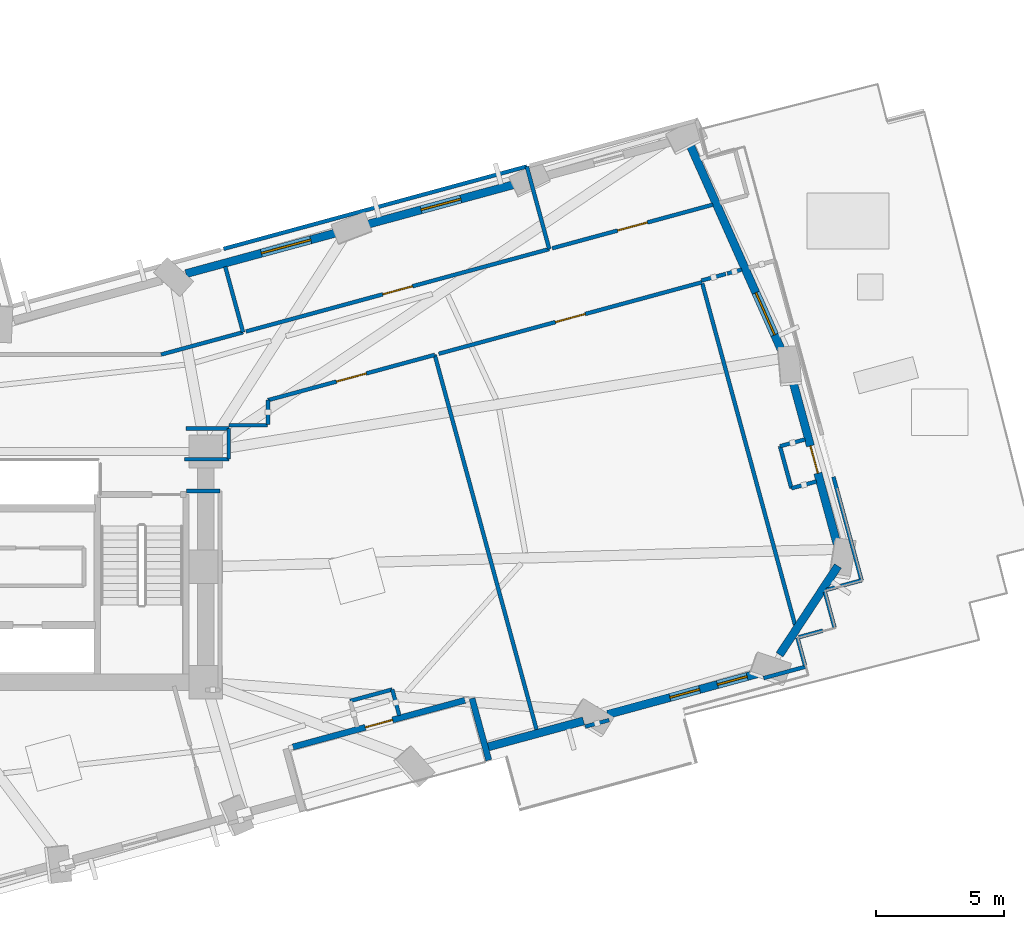
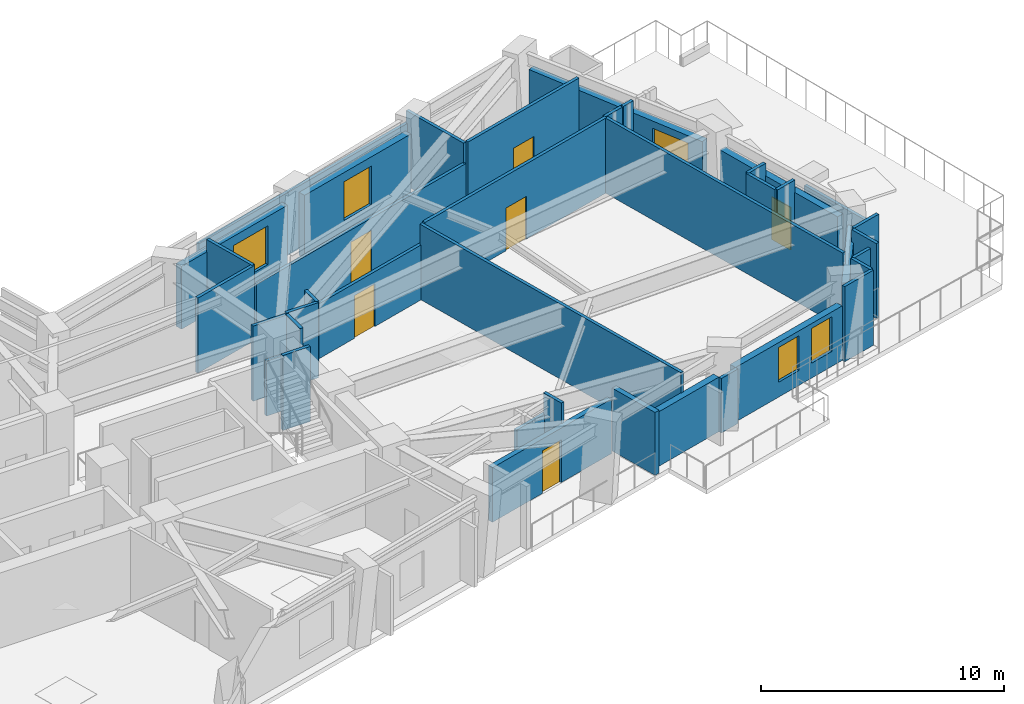
# One storey, part 9 of 15: 39 walls, 6 doors, 5 windows, 11 openings.
"""IFC4 building model written with IfcOpenShell, lengths in metres."""

import ifcopenshell
import ifcopenshell.guid

model = None  # the IFC model being written
_history = None  # IfcOwnerHistory: only IFC2X3 demands one
_inside = {}  # id of a spatial element -> (the spatial element, [elements in it])
_under = {}  # id of a project, library or spatial element -> (it, [spatial elements below it])
_declared = {}  # id of a project -> (the project, [libraries it declares])
_typed = {}  # id of a type object -> (the type object, [elements of that type])
_made_of = {}  # id of a material, layer set ... -> (it, [elements and type objects made of it])


def new_model(schema):
    """Start an empty IFC model of exactly this schema.

    Asked for "IFC4X3", IfcOpenShell would pick the latest addendum, in which some entities
    have other attributes; the version numbers below select the first issue.
    IFC2X3 requires an IfcOwnerHistory on every rooted entity: one is made here for all.
    """
    global model, _history
    if schema == "IFC4X3":
        model = ifcopenshell.file(schema_version=(4, 3, 0, 0))
    else:
        model = ifcopenshell.file(schema=schema)
    _inside.clear()
    _under.clear()
    _declared.clear()
    _typed.clear()
    _made_of.clear()
    _history = None
    if model.schema == "IFC2X3":
        org = make("IfcOrganization", Name="unknown")
        user = make(
            "IfcPersonAndOrganization",
            ThePerson=make("IfcPerson", FamilyName="unknown"),
            TheOrganization=org,
        )
        app = make(
            "IfcApplication",
            ApplicationDeveloper=org,
            Version="unknown",
            ApplicationFullName="unknown",
            ApplicationIdentifier="unknown",
        )
        _history = make(
            "IfcOwnerHistory",
            OwningUser=user,
            OwningApplication=app,
            ChangeAction="ADDED",
            CreationDate=0,
        )
    return model


def make(cls, **values):
    """One entity of the class cls with the attributes given. An attribute that is None is left unset."""
    return model.create_entity(
        cls, **{name: value for name, value in values.items() if value is not None}
    )


def rooted(cls, **values):
    """An entity with a GlobalId (a new one), such as an element, a storey or a relation."""
    return make(cls, GlobalId=ifcopenshell.guid.new(), OwnerHistory=_history, **values)


def si_unit(unit_type, name, prefix=None):
    """IfcSIUnit, for example si_unit("LENGTHUNIT", "METRE", prefix="MILLI")."""
    return make("IfcSIUnit", UnitType=unit_type, Prefix=prefix, Name=name)


def assignment(units):
    """IfcUnitAssignment: the units of a project."""
    return None if units is None else make("IfcUnitAssignment", Units=units)


def point(xyz):
    """IfcCartesianPoint."""
    return None if xyz is None else make("IfcCartesianPoint", Coordinates=xyz)


def direction(xyz):
    """IfcDirection."""
    return None if xyz is None else make("IfcDirection", DirectionRatios=xyz)


def frame(location, z_axis=None, x_axis=None):
    """IfcAxis2Placement3D, a coordinate frame: its origin and axes. An axis left out is left unset."""
    return make(
        "IfcAxis2Placement3D",
        Location=point(location),
        Axis=direction(z_axis),
        RefDirection=direction(x_axis),
    )


def frame_2d(location, x_axis=None):
    """IfcAxis2Placement2D, a coordinate frame in the plane: its origin and x axis."""
    return make(
        "IfcAxis2Placement2D", Location=point(location), RefDirection=direction(x_axis)
    )


def origin():
    """The frame at (0, 0, 0) with its axes left unset."""
    return frame((0.0, 0.0, 0.0))


def place(relative_to, where):
    """IfcLocalPlacement: puts the frame where relative to a parent placement (None: the world)."""
    return make(
        "IfcLocalPlacement", PlacementRelTo=relative_to, RelativePlacement=where
    )


def context(
    kind, dimensions, precision=None, world=None, true_north=None, identifier=None
):
    """IfcGeometricRepresentationContext, for example the 3D "Model" context."""
    return make(
        "IfcGeometricRepresentationContext",
        ContextIdentifier=identifier,
        ContextType=kind,
        CoordinateSpaceDimension=dimensions,
        Precision=precision,
        WorldCoordinateSystem=world,
        TrueNorth=true_north,
    )


def subcontext(parent, identifier, kind, view, scale=None):
    """IfcGeometricRepresentationSubContext, for example "Body" below "Model"."""
    return make(
        "IfcGeometricRepresentationSubContext",
        ContextIdentifier=identifier,
        ContextType=kind,
        ParentContext=parent,
        TargetScale=scale,
        TargetView=view,
    )


def project(units=None, contexts=None):
    """IfcProject with its units and contexts."""
    return rooted(
        "IfcProject",
        Name="project",
        RepresentationContexts=contexts,
        UnitsInContext=assignment(units),
    )


def spatial(cls, under=None, at=None, **own):
    """A site, building, storey or space (cls), placed at a placement, below another one or the project."""
    s = rooted(cls, ObjectPlacement=at, **own)
    if under is not None:
        _under.setdefault(under.id(), (under, []))[1].append(s)
    return s


def profile(cls, at=None, kind="AREA", **sizes):
    """A parametric profile (cls). Its sizes go by their IFC names, for example OverallWidth=200.0."""
    return make(cls, ProfileType=kind, Position=at, **sizes)


def rectangle(**sizes):
    """IfcRectangleProfileDef."""
    return profile("IfcRectangleProfileDef", **sizes)


def extrude(swept, where, along, depth):
    """IfcExtrudedAreaSolid: the profile swept, set in the frame where, extruded along a direction by depth."""
    return make(
        "IfcExtrudedAreaSolid",
        SweptArea=swept,
        Position=where,
        ExtrudedDirection=direction(along),
        Depth=depth,
    )


def shape(context_of_items, identifier, shape_type, items):
    """IfcShapeRepresentation: the items that make up one representation, for example the "Body"."""
    return make(
        "IfcShapeRepresentation",
        ContextOfItems=context_of_items,
        RepresentationIdentifier=identifier,
        RepresentationType=shape_type,
        Items=items,
    )


def material(Name=None, Category=None):
    """IfcMaterial."""
    return make("IfcMaterial", Name=Name, Category=Category)


def layer(
    of_material, thickness, ventilated=None, Name=None, Category=None, Priority=None
):
    """IfcMaterialLayer: one layer of a wall or slab, of a material (None: an air gap)."""
    return make(
        "IfcMaterialLayer",
        Material=of_material,
        LayerThickness=thickness,
        IsVentilated=ventilated,
        Name=Name,
        Category=Category,
        Priority=Priority,
    )


def layer_set(layers, Name=None):
    """IfcMaterialLayerSet."""
    return make("IfcMaterialLayerSet", MaterialLayers=layers, LayerSetName=Name)


def made_of(thing, what):
    """Note that an element or type object is made of a material, layer set ...; save() writes the relation."""
    if what is not None:
        _made_of.setdefault(what.id(), (what, []))[1].append(thing)
    return thing


def type_object(cls, material=None, **own):
    """A type object (cls), such as IfcWallType, which elements share."""
    return made_of(rooted(cls, **own), material)


def element(
    cls,
    number,
    at=None,
    inside=None,
    cuts=None,
    type_object=None,
    material=None,
    context=None,
    identifier="Body",
    shape_type=None,
    held_by="IfcProductDefinitionShape",
    body=None,
    shapes=None,
    **own,
):
    """One element of the class cls, such as IfcWall. Its Tag is "e" and its number.

    at: its placement. inside: the storey or other place that contains it. cuts: it is an
    opening in that element (IfcRelVoidsElement). A single representation is given by context,
    identifier, shape_type and body (its items); several are given by shapes. held_by: the class
    of the entity that holds the representations. save() writes the other relations.
    """
    e = rooted(cls, Tag="e%d" % number, ObjectPlacement=at, **own)
    if body is not None:
        shapes = [shape(context, identifier, shape_type, body)]
    if shapes is not None:
        e.Representation = make(held_by, Representations=shapes)
    if inside is not None:
        _inside.setdefault(inside.id(), (inside, []))[1].append(e)
    if cuts is not None:
        rooted(
            "IfcRelVoidsElement", RelatingBuildingElement=cuts, RelatedOpeningElement=e
        )
    if type_object is not None:
        _typed.setdefault(type_object.id(), (type_object, []))[1].append(e)
    return made_of(e, material)


def fill(opening, filler):
    """IfcRelFillsElement: the door or window that sits in an opening."""
    return rooted(
        "IfcRelFillsElement",
        RelatingOpeningElement=opening,
        RelatedBuildingElement=filler,
    )


def aggregate(whole, parts):
    """IfcRelAggregates: a whole, such as a stair, and the parts it consists of."""
    return rooted("IfcRelAggregates", RelatingObject=whole, RelatedObjects=parts)


def save(model, path):
    """Write the relations noted so far, then the file.

    IfcRelAggregates (storeys below a building ...), IfcRelContainedInSpatialStructure (elements
    in a storey), IfcRelDefinesByType, IfcRelAssociatesMaterial and IfcRelDeclares: one each for
    every whole, place, type object, material and project.
    """
    for whole, parts in _under.values():
        aggregate(whole, parts)
    for where, things in _inside.values():
        rooted(
            "IfcRelContainedInSpatialStructure",
            RelatedElements=things,
            RelatingStructure=where,
        )
    for kind, things in _typed.values():
        rooted("IfcRelDefinesByType", RelatedObjects=things, RelatingType=kind)
    for what, things in _made_of.values():
        rooted("IfcRelAssociatesMaterial", RelatedObjects=things, RelatingMaterial=what)
    for by, libraries in _declared.values():
        rooted("IfcRelDeclares", RelatingContext=by, RelatedDefinitions=libraries)
    model.write(path)


model = new_model("IFC4")

# Units and contexts
model_context = context("Model", 3, precision=1e-05, world=origin(), true_north=direction((0.0, 1.0)))
body_context = subcontext(model_context, "Body", "Model", "MODEL_VIEW")
ifc_project = project(units=[si_unit("LENGTHUNIT", "METRE"), si_unit("AREAUNIT", "SQUARE_METRE"), si_unit("VOLUMEUNIT", "CUBIC_METRE"), si_unit("PLANEANGLEUNIT", "RADIAN"), si_unit("MASSUNIT", "GRAM", prefix="KILO")], contexts=[model_context])

# Site, building, storey
site_placement = place(None, origin())
site = spatial("IfcSite", under=ifc_project, at=site_placement, CompositionType="ELEMENT")
building_placement = place(site_placement, origin())
building = spatial("IfcBuilding", under=site, at=building_placement, Name="Gaonmaruhae Medical Tower", CompositionType="ELEMENT")
storey_placement = place(building_placement, frame((0.0, 0.0, 88.39990234375)))
storey = spatial("IfcBuildingStorey", under=building, at=storey_placement, Name="L20", CompositionType="ELEMENT", Elevation=88.39990234375)

# Wall, opening, door
ifc_material_1 = material(Name="Precast concrete C45/55", Category="concrete")
ifc_layer_1 = layer(ifc_material_1, 0.239990234375)
ifc_layer_set_1 = layer_set([ifc_layer_1], Name="Precast concrete C45/55")
wall_type_1 = type_object("IfcWallType", Name="EW-240 Ribbon & Shelter Insulated Precast Wall", PredefinedType="SOLIDWALL", material=ifc_layer_set_1)
wall_1_placement = place(storey_placement, frame((45.71435546875, 7.096923828125, 0.0), z_axis=(0.0, 0.0, 1.0), x_axis=(-0.96502158219, -0.262170452011, 0.0)))
wall_1 = element("IfcWall", 1, at=wall_1_placement, inside=storey, type_object=wall_type_1, Name="L20 Recessed Terrace Enclosure Wall TERB", PredefinedType="SOLIDWALL", context=body_context, shape_type="SweptSolid", body=[
    extrude(rectangle(XDim=6.9599609375, YDim=0.239990234375, at=frame_2d((3.47998046875, 0.0))), origin(), (0.0, 0.0, 1.0), 2.7451171875),
])
opening_1_placement = place(wall_1_placement, frame((2.929931640625, 0.0, 0.0)))
opening_1 = element("IfcOpeningElement", 2, at=opening_1_placement, cuts=wall_1, Name="Opening TD-01", PredefinedType="OPENING", context=body_context, shape_type="SweptSolid", body=[
    extrude(rectangle(XDim=1.10009765625, YDim=2.14990234375, at=frame_2d((0.550048828125, 1.074951171875))), frame((0.0, 0.1298828125, 0.0), z_axis=(0.0, -1.0, 0.0), x_axis=(1.0, 0.0, 0.0)), (0.0, 0.0, 1.0), 0.260009765625),
])
ifc_material_2 = material(Name="Anodised aluminium and toughened safety glass", Category="aluminium")
door_type_1 = type_object("IfcDoorType", Name="TD-01 Terrace & Sky Garden Glazed Door 1100x2150", OperationType="NOTDEFINED", PredefinedType="DOOR", material=ifc_material_2)
door_1_placement = place(opening_1_placement, origin())
door_1 = element("IfcDoor", 3, at=door_1_placement, inside=storey, type_object=door_type_1, Name="L20 Outdoor Terrace Access Door SLB-L20-TER", OperationType="SINGLE_SWING_LEFT", OverallHeight=2.14990234375, OverallWidth=1.10009765625, PredefinedType="DOOR", context=body_context, shape_type="SweptSolid", body=[
    extrude(rectangle(XDim=1.10009765625, YDim=2.14990234375, at=frame_2d((0.550048828125, 1.074951171875))), frame((0.0, 0.02490234375, 0.0), z_axis=(0.0, -1.0, 0.0), x_axis=(1.0, 0.0, 0.0)), (0.0, 0.0, 1.0), 0.050048828125),
])
fill(opening_1, door_1)

# Walls
wall_2_placement = place(storey_placement, frame((46.639892578125, 4.7578125, 0.0), z_axis=(0.0, 0.0, 1.0), x_axis=(-0.26210915003, 0.965038234201, 0.0)))
element("IfcWall", 4, at=wall_2_placement, inside=storey, type_object=wall_type_1, Name="L20 Recessed Terrace Enclosure Wall TERR", PredefinedType="SOLIDWALL", context=body_context, shape_type="SweptSolid", body=[
    extrude(rectangle(XDim=2.5, YDim=0.239990234375, at=frame_2d((1.25, 0.0))), origin(), (0.0, 0.0, 1.0), 3.1650390625),
])
ifc_layer_2 = layer(ifc_material_1, 0.320068359375)
ifc_layer_set_2 = layer_set([ifc_layer_2], Name="Precast concrete C45/55")
wall_type_2 = type_object("IfcWallType", Name="EW-320 Lower Precast Masonry-Frame Facade Wall", PredefinedType="SOLIDWALL", material=ifc_layer_set_2)
wall_3_placement = place(storey_placement, frame((50.335693359375, 6.290283203125, 0.0), z_axis=(0.0, 0.0, 1.0), x_axis=(-0.965017376206, -0.262185933302, 0.0)))
element("IfcWall", 5, at=wall_3_placement, inside=storey, type_object=wall_type_2, Name="L20 Precast Masonry-Frame Wall S05-S06", PredefinedType="SOLIDWALL", context=body_context, shape_type="SweptSolid", body=[
    extrude(rectangle(XDim=3.9482421875, YDim=0.320068359375, at=frame_2d((1.97412109375, 0.0))), origin(), (0.0, 0.0, 1.0), 2.7451171875),
])

# Wall, openings, windows
wall_4_placement = place(storey_placement, frame((57.298583984375, 8.18212890625, 0.0), z_axis=(0.0, 0.0, 1.0), x_axis=(-0.965014291952, -0.262197285128, 0.0)))
wall_4 = element("IfcWall", 6, at=wall_4_placement, inside=storey, type_object=wall_type_2, Name="L20 Precast Masonry-Frame Wall S06-S07", PredefinedType="SOLIDWALL", context=body_context, shape_type="SweptSolid", body=[
    extrude(rectangle(XDim=6.242431640625, YDim=0.320068359375, at=frame_2d((3.12109375, 0.0))), origin(), (0.0, 0.0, 1.0), 2.7451171875),
])
opening_2_placement = place(wall_4_placement, frame((2.525146484375, 0.0, 0.75)))
opening_2 = element("IfcOpeningElement", 7, at=opening_2_placement, cuts=wall_4, Name="Opening WN-05", PredefinedType="OPENING", context=body_context, shape_type="SweptSolid", body=[
    extrude(rectangle(XDim=1.199951171875, YDim=1.75, at=frame_2d((0.60009765625, 0.875))), frame((0.0, 0.169921875, 0.0), z_axis=(0.0, -1.0, 0.0), x_axis=(1.0, 0.0, 0.0)), (0.0, 0.0, 1.0), 0.340087890625),
])
opening_3_placement = place(wall_4_placement, frame((0.60400390625, 0.0, 0.75)))
opening_3 = element("IfcOpeningElement", 8, at=opening_3_placement, cuts=wall_4, Name="Opening WN-05", PredefinedType="OPENING", context=body_context, shape_type="SweptSolid", body=[
    extrude(rectangle(XDim=1.199951171875, YDim=1.75, at=frame_2d((0.60009765625, 0.875))), frame((0.0, 0.169921875, 0.0), z_axis=(0.0, -1.0, 0.0), x_axis=(1.0, 0.0, 0.0)), (0.0, 0.0, 1.0), 0.340087890625),
])
ifc_material_3 = material(Name="Anodised aluminium and Low-E double glazing", Category="aluminium")
window_type_1 = type_object("IfcWindowType", Name="WN-05 Support & Staff Punched Window 1200x1750", PartitioningType="SINGLE_PANEL", PredefinedType="WINDOW", material=ifc_material_3)
window_1_placement = place(opening_2_placement, origin())
window_1 = element("IfcWindow", 9, at=window_1_placement, inside=storey, type_object=window_type_1, Name="L20 Modular Facade Window S06", OverallHeight=1.75, OverallWidth=1.199951171875, PartitioningType="SINGLE_PANEL", PredefinedType="WINDOW", context=body_context, shape_type="SweptSolid", body=[
    extrude(rectangle(XDim=1.199951171875, YDim=1.75, at=frame_2d((0.60009765625, 0.875))), frame((0.0, 0.030029296875, 0.0), z_axis=(0.0, -1.0, 0.0), x_axis=(1.0, 0.0, 0.0)), (0.0, 0.0, 1.0), 0.06005859375),
])
fill(opening_2, window_1)
window_2_placement = place(opening_3_placement, origin())
window_2 = element("IfcWindow", 10, at=window_2_placement, inside=storey, type_object=window_type_1, Name="L20 Modular Facade Window S06B", OverallHeight=1.75, OverallWidth=1.199951171875, PartitioningType="SINGLE_PANEL", PredefinedType="WINDOW", context=body_context, shape_type="SweptSolid", body=[
    extrude(rectangle(XDim=1.199951171875, YDim=1.75, at=frame_2d((0.60009765625, 0.875))), frame((0.0, 0.030029296875, 0.0), z_axis=(0.0, -1.0, 0.0), x_axis=(1.0, 0.0, 0.0)), (0.0, 0.0, 1.0), 0.06005859375),
])
fill(opening_3, window_2)

# Wall
wall_5_placement = place(storey_placement, frame((60.260498046875, 12.336181640625, 0.0), z_axis=(0.0, 0.0, 1.0), x_axis=(-0.549770104054, -0.835316007681, 0.0)))
element("IfcWall", 11, at=wall_5_placement, inside=storey, type_object=wall_type_2, Name="L20 Precast Masonry-Frame Wall S07-E01", PredefinedType="SOLIDWALL", context=body_context, shape_type="SweptSolid", body=[
    extrude(rectangle(XDim=4.14501953125, YDim=0.320068359375, at=frame_2d((2.072509765625, 0.0))), origin(), (0.0, 0.0, 1.0), 3.1650390625),
])

# Wall, opening, door
wall_6_placement = place(storey_placement, frame((58.433349609375, 19.7861328125, 0.0), z_axis=(0.0, 0.0, 1.0), x_axis=(0.26220517946, -0.965012147003, 0.0)))
wall_6 = element("IfcWall", 12, at=wall_6_placement, inside=storey, type_object=wall_type_2, Name="L20 Precast Masonry-Frame Wall E01-E02", PredefinedType="SOLIDWALL", context=body_context, shape_type="SweptSolid", body=[
    extrude(rectangle(XDim=6.83984375, YDim=0.320068359375, at=frame_2d((3.419921875, 0.0))), origin(), (0.0, 0.0, 1.0), 3.1650390625),
])
opening_4_placement = place(wall_6_placement, frame((2.8701171875, 0.0, 0.0)))
opening_4 = element("IfcOpeningElement", 13, at=opening_4_placement, cuts=wall_6, Name="Opening TD-01", PredefinedType="OPENING", context=body_context, shape_type="SweptSolid", body=[
    extrude(rectangle(XDim=1.10009765625, YDim=2.14990234375, at=frame_2d((0.550048828125, 1.074951171875))), frame((0.0, 0.169921875, 0.0), z_axis=(0.0, -1.0, 0.0), x_axis=(1.0, 0.0, 0.0)), (0.0, 0.0, 1.0), 0.340087890625),
])
door_2_placement = place(opening_4_placement, origin())
door_2 = element("IfcDoor", 14, at=door_2_placement, inside=storey, type_object=door_type_1, Name="L20 Outdoor Terrace Access Door SLB-L20-SKYG1", OperationType="SINGLE_SWING_RIGHT", OverallHeight=2.14990234375, OverallWidth=1.10009765625, PredefinedType="DOOR", context=body_context, shape_type="SweptSolid", body=[
    extrude(rectangle(XDim=1.10009765625, YDim=2.14990234375, at=frame_2d((0.550048828125, 1.074951171875))), frame((0.0, 0.02490234375, 0.0), z_axis=(0.0, -1.0, 0.0), x_axis=(1.0, 0.0, 0.0)), (0.0, 0.0, 1.0), 0.050048828125),
])
fill(opening_4, door_2)

# Wall, opening, window
wall_7_placement = place(storey_placement, frame((54.495361328125, 28.747314453125, 0.0), z_axis=(0.0, 0.0, 1.0), x_axis=(0.406584404418, -0.913613223462, 0.0)))
wall_7 = element("IfcWall", 15, at=wall_7_placement, inside=storey, type_object=wall_type_2, Name="L20 Precast Masonry-Frame Wall E02-E03", PredefinedType="SOLIDWALL", context=body_context, shape_type="SweptSolid", body=[
    extrude(rectangle(XDim=8.837646484375, YDim=0.320068359375, at=frame_2d((4.4189453125, 0.0))), origin(), (0.0, 0.0, 1.0), 3.1650390625),
])
opening_5_placement = place(wall_7_placement, frame((6.29931640625, 0.0, 0.75)))
opening_5 = element("IfcOpeningElement", 16, at=opening_5_placement, cuts=wall_7, Name="Opening WN-04", PredefinedType="OPENING", context=body_context, shape_type="SweptSolid", body=[
    extrude(rectangle(XDim=1.800048828125, YDim=2.050048828125, at=frame_2d((0.89990234375, 1.02490234375))), frame((0.0, 0.169921875, 0.0), z_axis=(0.0, -1.0, 0.0), x_axis=(1.0, 0.0, 0.0)), (0.0, 0.0, 1.0), 0.340087890625),
])
window_type_2 = type_object("IfcWindowType", Name="WN-04 Clinic & Consult Punched Window 1800x2050", PartitioningType="SINGLE_PANEL", PredefinedType="WINDOW", material=ifc_material_3)
window_3_placement = place(opening_5_placement, origin())
window_3 = element("IfcWindow", 17, at=window_3_placement, inside=storey, type_object=window_type_2, Name="L20 Modular Facade Window E02", OverallHeight=2.050048828125, OverallWidth=1.800048828125, PartitioningType="SINGLE_PANEL", PredefinedType="WINDOW", context=body_context, shape_type="SweptSolid", body=[
    extrude(rectangle(XDim=1.800048828125, YDim=2.050048828125, at=frame_2d((0.89990234375, 1.02490234375))), frame((0.0, 0.030029296875, 0.0), z_axis=(0.0, -1.0, 0.0), x_axis=(1.0, 0.0, 0.0)), (0.0, 0.0, 1.0), 0.06005859375),
])
fill(opening_5, window_3)

wall_8_placement = place(storey_placement, frame((41.7734375, 25.62158203125, 0.0), z_axis=(0.0, 0.0, 1.0), x_axis=(0.965013128286, 0.262201567951, 0.0)))
wall_8 = element("IfcWall", 18, at=wall_8_placement, inside=storey, type_object=wall_type_2, Name="L20 Precast Masonry-Frame Wall EN01-EN02", PredefinedType="SOLIDWALL", context=body_context, shape_type="SweptSolid", body=[
    extrude(rectangle(XDim=6.226318359375, YDim=0.320068359375, at=frame_2d((3.11328125, 0.0))), origin(), (0.0, 0.0, 1.0), 3.1650390625),
])
opening_6_placement = place(wall_8_placement, frame((2.310302734375, 0.0, 0.75)))
opening_6 = element("IfcOpeningElement", 19, at=opening_6_placement, cuts=wall_8, Name="Opening WN-01", PredefinedType="OPENING", context=body_context, shape_type="SweptSolid", body=[
    extrude(rectangle(XDim=1.60009765625, YDim=1.949951171875, at=frame_2d((0.800048828125, 0.97509765625))), frame((0.0, 0.169921875, 0.0), z_axis=(0.0, -1.0, 0.0), x_axis=(1.0, 0.0, 0.0)), (0.0, 0.0, 1.0), 0.340087890625),
])
window_type_3 = type_object("IfcWindowType", Name="WN-01 Ward Punched Acoustic Window 1600x1950", PartitioningType="SINGLE_PANEL", PredefinedType="WINDOW", material=ifc_material_3)
window_4_placement = place(opening_6_placement, origin())
window_4 = element("IfcWindow", 20, at=window_4_placement, inside=storey, type_object=window_type_3, Name="L20 Modular Facade Window EN01", OverallHeight=1.949951171875, OverallWidth=1.60009765625, PartitioningType="SINGLE_PANEL", PredefinedType="WINDOW", context=body_context, shape_type="SweptSolid", body=[
    extrude(rectangle(XDim=1.60009765625, YDim=1.949951171875, at=frame_2d((0.800048828125, 0.97509765625))), frame((0.0, 0.030029296875, 0.0), z_axis=(0.0, -1.0, 0.0), x_axis=(1.0, 0.0, 0.0)), (0.0, 0.0, 1.0), 0.06005859375),
])
fill(opening_6, window_4)

wall_9_placement = place(storey_placement, frame((34.82958984375, 23.735107421875, 0.0), z_axis=(0.0, 0.0, 1.0), x_axis=(0.965020065413, 0.262176035042, 0.0)))
wall_9 = element("IfcWall", 21, at=wall_9_placement, inside=storey, type_object=wall_type_2, Name="L20 Precast Masonry-Frame Wall EN02-EN03", PredefinedType="SOLIDWALL", context=body_context, shape_type="SweptSolid", body=[
    extrude(rectangle(XDim=6.211181640625, YDim=0.320068359375, at=frame_2d((3.10546875, 0.0))), origin(), (0.0, 0.0, 1.0), 3.1650390625),
])
opening_7_placement = place(wall_9_placement, frame((3.0439453125, 0.0, 0.75)))
opening_7 = element("IfcOpeningElement", 22, at=opening_7_placement, cuts=wall_9, Name="Opening WN-02", PredefinedType="OPENING", context=body_context, shape_type="SweptSolid", body=[
    extrude(rectangle(XDim=2.0, YDim=1.949951171875, at=frame_2d((1.0, 0.97509765625))), frame((0.0, 0.169921875, 0.0), z_axis=(0.0, -1.0, 0.0), x_axis=(1.0, 0.0, 0.0)), (0.0, 0.0, 1.0), 0.340087890625),
])
window_type_4 = type_object("IfcWindowType", Name="WN-02 Double-Bed Ward Punched Window 2000x1950", PartitioningType="SINGLE_PANEL", PredefinedType="WINDOW", material=ifc_material_3)
window_5_placement = place(opening_7_placement, origin())
window_5 = element("IfcWindow", 23, at=window_5_placement, inside=storey, type_object=window_type_4, Name="L20 Modular Facade Window EN02", OverallHeight=1.949951171875, OverallWidth=2.0, PartitioningType="SINGLE_PANEL", PredefinedType="WINDOW", context=body_context, shape_type="SweptSolid", body=[
    extrude(rectangle(XDim=2.0, YDim=1.949951171875, at=frame_2d((1.0, 0.97509765625))), frame((0.0, 0.030029296875, 0.0), z_axis=(0.0, -1.0, 0.0), x_axis=(1.0, 0.0, 0.0)), (0.0, 0.0, 1.0), 0.06005859375),
])
fill(opening_7, window_5)

# Walls
ifc_material_4 = material(Name="Gypsum board partition", Category="gypsum")
ifc_layer_3 = layer(ifc_material_4, 0.14990234375)
ifc_layer_set_3 = layer_set([ifc_layer_3], Name="Gypsum board partition")
wall_type_3 = type_object("IfcWallType", Name="PW-150 Rated Clinical Corridor Partition", PredefinedType="PARTITIONING", material=ifc_layer_set_3)
wall_10_placement = place(storey_placement, frame((36.14990234375, 15.260009765625, 0.0), z_axis=(0.0, 0.0, 1.0), x_axis=(-1.0, 0.0, 0.0)))
element("IfcWall", 24, at=wall_10_placement, inside=storey, type_object=wall_type_3, Name="L20 Interior Partition L20-SUP03-19", PredefinedType="PARTITIONING", context=body_context, shape_type="SweptSolid", body=[
    extrude(rectangle(XDim=1.2998046875, YDim=0.14990234375, at=frame_2d((0.64990234375, 0.0))), origin(), (0.0, 0.0, 1.0), 3.780029296875),
])
wall_11_placement = place(storey_placement, frame((34.777099609375, 16.5, 0.0), z_axis=(0.0, 0.0, 1.0), x_axis=(1.0, 0.0, 0.0)))
element("IfcWall", 25, at=wall_11_placement, inside=storey, type_object=wall_type_3, Name="L20 Interior Partition L20-SUP03-20", PredefinedType="PARTITIONING", context=body_context, shape_type="SweptSolid", body=[
    extrude(rectangle(XDim=1.722900390625, YDim=0.14990234375, at=frame_2d((0.861328125, 0.0))), origin(), (0.0, 0.0, 1.0), 2.76513671875),
])
wall_12_placement = place(storey_placement, frame((36.5, 16.5, 0.0), z_axis=(0.0, 0.0, 1.0), x_axis=(0.0, 1.0, 0.0)))
element("IfcWall", 26, at=wall_12_placement, inside=storey, type_object=wall_type_3, Name="L20 Interior Partition L20-SUP03-21", PredefinedType="PARTITIONING", context=body_context, shape_type="SweptSolid", body=[
    extrude(rectangle(XDim=1.199951171875, YDim=0.14990234375, at=frame_2d((0.60009765625, 0.0))), origin(), (0.0, 0.0, 1.0), 3.780029296875),
])
wall_13_placement = place(storey_placement, frame((36.5, 17.699951171875, 0.0), z_axis=(0.0, 0.0, 1.0), x_axis=(-1.0, 0.0, 0.0)))
element("IfcWall", 27, at=wall_13_placement, inside=storey, type_object=wall_type_3, Name="L20 Interior Partition L20-SUP03-22", PredefinedType="PARTITIONING", context=body_context, shape_type="SweptSolid", body=[
    extrude(rectangle(XDim=1.669921875, YDim=0.14990234375, at=frame_2d((0.8349609375, 0.0))), origin(), (0.0, 0.0, 1.0), 3.780029296875),
])
wall_14_placement = place(storey_placement, frame((36.5, 17.821044921875, 0.0), z_axis=(0.0, 0.0, 1.0), x_axis=(1.0, 0.0, 0.0)))
element("IfcWall", 28, at=wall_14_placement, inside=storey, type_object=wall_type_3, Name="L20 Interior Partition L20-SUP03-23", PredefinedType="PARTITIONING", context=body_context, shape_type="SweptSolid", body=[
    extrude(rectangle(XDim=1.509033203125, YDim=0.14990234375, at=frame_2d((0.75439453125, 0.0))), origin(), (0.0, 0.0, 1.0), 3.780029296875),
])
wall_15_placement = place(storey_placement, frame((38.030029296875, 17.85009765625, 0.0), z_axis=(0.0, 0.0, 1.0), x_axis=(0.0, 1.0, 0.0)))
element("IfcWall", 29, at=wall_15_placement, inside=storey, type_object=wall_type_3, Name="L20 Interior Partition L20-SUP03-24", PredefinedType="PARTITIONING", context=body_context, shape_type="SweptSolid", body=[
    extrude(rectangle(XDim=0.951904296875, YDim=0.14990234375, at=frame_2d((0.47607421875, 0.0))), origin(), (0.0, 0.0, 1.0), 3.780029296875),
])

# Wall, opening, door
wall_16_placement = place(storey_placement, frame((38.030029296875, 18.802001953125, 0.0), z_axis=(0.0, 0.0, 1.0), x_axis=(0.965032576147, 0.26212998107, 0.0)))
wall_16 = element("IfcWall", 30, at=wall_16_placement, inside=storey, type_object=wall_type_3, Name="L20 Interior Partition L20-SUP03-25", PredefinedType="PARTITIONING", context=body_context, shape_type="SweptSolid", body=[
    extrude(rectangle(XDim=6.737548828125, YDim=0.14990234375, at=frame_2d((3.36865234375, 0.0))), origin(), (0.0, 0.0, 1.0), 2.76513671875),
])
opening_8_placement = place(wall_16_placement, frame((2.768798828125, 0.0, 0.0)))
opening_8 = element("IfcOpeningElement", 31, at=opening_8_placement, cuts=wall_16, Name="Opening CD-02", PredefinedType="OPENING", context=body_context, shape_type="SweptSolid", body=[
    extrude(rectangle(XDim=1.199951171875, YDim=2.14990234375, at=frame_2d((0.60009765625, 1.074951171875))), frame((0.0, 0.0849609375, 0.0), z_axis=(0.0, -1.0, 0.0), x_axis=(1.0, 0.0, 0.0)), (0.0, 0.0, 1.0), 0.169921875),
])
ifc_material_5 = material(Name="Antimicrobial laminate timber fire door", Category="wood")
door_type_2 = type_object("IfcDoorType", Name="CD-02 Clinical Treatment & Procedure Door 1200x2150", OperationType="NOTDEFINED", PredefinedType="DOOR", material=ifc_material_5)
door_3_placement = place(opening_8_placement, origin())
door_3 = element("IfcDoor", 32, at=door_3_placement, inside=storey, type_object=door_type_2, Name="L20 Clinical Biomedical Charting Office Door", OperationType="SINGLE_SWING_LEFT", OverallHeight=2.14990234375, OverallWidth=1.199951171875, PredefinedType="DOOR", context=body_context, shape_type="SweptSolid", body=[
    extrude(rectangle(XDim=1.199951171875, YDim=2.14990234375, at=frame_2d((0.60009765625, 1.074951171875))), frame((0.0, 0.02490234375, 0.0), z_axis=(0.0, -1.0, 0.0), x_axis=(1.0, 0.0, 0.0)), (0.0, 0.0, 1.0), 0.050048828125),
])
fill(opening_8, door_3)

# Walls
wall_17_placement = place(storey_placement, frame((44.531982421875, 20.568115234375, 0.0), z_axis=(0.0, 0.0, 1.0), x_axis=(0.262195036903, -0.965014902799, 0.0)))
element("IfcWall", 33, at=wall_17_placement, inside=storey, type_object=wall_type_3, Name="L20 Interior Partition L20-SUP03-26", PredefinedType="PARTITIONING", context=body_context, shape_type="SweptSolid", body=[
    extrude(rectangle(XDim=15.16455078125, YDim=0.14990234375, at=frame_2d((7.582275390625, 0.0))), origin(), (0.0, 0.0, 1.0), 3.780029296875),
])
wall_18_placement = place(storey_placement, frame((43.15087890625, 6.4990234375, 0.0), z_axis=(0.0, 0.0, 1.0), x_axis=(-0.261550249958, 0.965189860466, 0.0)))
element("IfcWall", 34, at=wall_18_placement, inside=storey, type_object=wall_type_3, Name="L20 Interior Partition L20-SUP03-27", PredefinedType="PARTITIONING", context=body_context, shape_type="SweptSolid", body=[
    extrude(rectangle(XDim=1.0546875, YDim=0.14990234375, at=frame_2d((0.52734375, 0.0))), origin(), (0.0, 0.0, 1.0), 3.780029296875),
])
wall_19_placement = place(storey_placement, frame((42.875, 7.51708984375, 0.0), z_axis=(0.0, 0.0, 1.0), x_axis=(-0.964992044521, -0.262279152833, 0.0)))
element("IfcWall", 35, at=wall_19_placement, inside=storey, type_object=wall_type_3, Name="L20 Interior Partition L20-SUP03-28", PredefinedType="PARTITIONING", context=body_context, shape_type="SweptSolid", body=[
    extrude(rectangle(XDim=1.70068359375, YDim=0.14990234375, at=frame_2d((0.850341796875, 0.0))), origin(), (0.0, 0.0, 1.0), 2.7451171875),
])
wall_20_placement = place(storey_placement, frame((58.987060546875, 8.403076171875, 0.0), z_axis=(0.0, 0.0, 1.0), x_axis=(-0.965050434137, -0.262064227953, 0.0)))
element("IfcWall", 36, at=wall_20_placement, inside=storey, type_object=wall_type_3, Name="L20 Interior Partition L20-SUP04-30", PredefinedType="PARTITIONING", context=body_context, shape_type="SweptSolid", body=[
    extrude(rectangle(XDim=1.687255859375, YDim=0.14990234375, at=frame_2d((0.84375, 0.0))), origin(), (0.0, 0.0, 1.0), 3.780029296875),
])
wall_21_placement = place(storey_placement, frame((51.3349609375, 6.322998046875, 0.0), z_axis=(0.0, 0.0, 1.0), x_axis=(-0.965075837015, -0.261970664026, 0.0)))
element("IfcWall", 37, at=wall_21_placement, inside=storey, type_object=wall_type_3, Name="L20 Interior Partition L20-SUP04-31", PredefinedType="PARTITIONING", context=body_context, shape_type="SweptSolid", body=[
    extrude(rectangle(XDim=0.972900390625, YDim=0.14990234375, at=frame_2d((0.486328125, 0.0))), origin(), (0.0, 0.0, 1.0), 2.7451171875),
])

# Wall, opening, door
wall_22_placement = place(storey_placement, frame((44.68603515625, 20.610107421875, 0.0), z_axis=(0.0, 0.0, 1.0), x_axis=(0.965015946981, 0.262191193736, 0.0)))
wall_22 = element("IfcWall", 38, at=wall_22_placement, inside=storey, type_object=wall_type_3, Name="L20 Interior Partition L20-SUP04-32", PredefinedType="PARTITIONING", context=body_context, shape_type="SweptSolid", body=[
    extrude(rectangle(XDim=10.640380859375, YDim=0.14990234375, at=frame_2d((5.3203125, 0.0))), origin(), (0.0, 0.0, 1.0), 3.780029296875),
])
opening_9_placement = place(wall_22_placement, frame((4.72021484375, 0.0, 0.0)))
opening_9 = element("IfcOpeningElement", 39, at=opening_9_placement, cuts=wall_22, Name="Opening CD-02", PredefinedType="OPENING", context=body_context, shape_type="SweptSolid", body=[
    extrude(rectangle(XDim=1.199951171875, YDim=2.14990234375, at=frame_2d((0.60009765625, 1.074951171875))), frame((0.0, 0.0849609375, 0.0), z_axis=(0.0, -1.0, 0.0), x_axis=(1.0, 0.0, 0.0)), (0.0, 0.0, 1.0), 0.169921875),
])
door_4_placement = place(opening_9_placement, origin())
door_4 = element("IfcDoor", 40, at=door_4_placement, inside=storey, type_object=door_type_2, Name="L20 Clinical Biomedical Charting Office Door", OperationType="SINGLE_SWING_RIGHT", OverallHeight=2.14990234375, OverallWidth=1.199951171875, PredefinedType="DOOR", context=body_context, shape_type="SweptSolid", body=[
    extrude(rectangle(XDim=1.199951171875, YDim=2.14990234375, at=frame_2d((0.60009765625, 1.074951171875))), frame((0.0, 0.02490234375, 0.0), z_axis=(0.0, -1.0, 0.0), x_axis=(1.0, 0.0, 0.0)), (0.0, 0.0, 1.0), 0.050048828125),
])
fill(opening_9, door_4)

# Walls
wall_23_placement = place(storey_placement, frame((54.967041015625, 23.35205078125, 0.0), z_axis=(0.0, 0.0, 1.0), x_axis=(0.262211478989, -0.965010435325, 0.0)))
element("IfcWall", 41, at=wall_23_placement, inside=storey, type_object=wall_type_3, Name="L20 Interior Partition L20-SUP04-33", PredefinedType="PARTITIONING", context=body_context, shape_type="SweptSolid", body=[
    extrude(rectangle(XDim=13.797607421875, YDim=0.14990234375, at=frame_2d((6.89892578125, 0.0))), origin(), (0.0, 0.0, 1.0), 3.780029296875),
])
wall_24_placement = place(storey_placement, frame((58.677978515625, 9.541015625, 0.0), z_axis=(0.0, 0.0, 1.0), x_axis=(0.262166303741, -0.965022709154, 0.0)))
element("IfcWall", 42, at=wall_24_placement, inside=storey, type_object=wall_type_3, Name="L20 Interior Partition L20-SUP04-34", PredefinedType="PARTITIONING", context=body_context, shape_type="SweptSolid", body=[
    extrude(rectangle(XDim=1.129638671875, YDim=0.14990234375, at=frame_2d((0.56494140625, 0.0))), origin(), (0.0, 0.0, 1.0), 3.780029296875),
])
wall_25_placement = place(storey_placement, frame((36.360107421875, 24.010986328125, 0.0), z_axis=(0.0, 0.0, 1.0), x_axis=(0.262090118072, -0.965043403174, 0.0)))
element("IfcWall", 43, at=wall_25_placement, inside=storey, type_object=wall_type_3, Name="L20 Interior Partition L20-IE01-56", PredefinedType="PARTITIONING", context=body_context, shape_type="SweptSolid", body=[
    extrude(rectangle(XDim=2.65478515625, YDim=0.14990234375, at=frame_2d((1.327392578125, 0.0))), origin(), (0.0, 0.0, 1.0), 3.780029296875),
])
wall_26_placement = place(storey_placement, frame((37.055908203125, 21.448974609375, 0.0), z_axis=(0.0, 0.0, 1.0), x_axis=(-0.965014994537, -0.262194699256, 0.0)))
element("IfcWall", 44, at=wall_26_placement, inside=storey, type_object=wall_type_3, Name="L20 Interior Partition L20-IE01-57", PredefinedType="PARTITIONING", context=body_context, shape_type="SweptSolid", body=[
    extrude(rectangle(XDim=3.31396484375, YDim=0.14990234375, at=frame_2d((1.656982421875, 0.0))), origin(), (0.0, 0.0, 1.0), 3.780029296875),
])

# Wall, opening, door
wall_27_placement = place(storey_placement, frame((48.9990234375, 24.694091796875, 0.0), z_axis=(0.0, 0.0, 1.0), x_axis=(-0.965006566945, -0.262225715279, 0.0)))
wall_27 = element("IfcWall", 45, at=wall_27_placement, inside=storey, type_object=wall_type_3, Name="L20 Interior Partition L20-IE02-63", PredefinedType="PARTITIONING", context=body_context, shape_type="SweptSolid", body=[
    extrude(rectangle(XDim=12.257080078125, YDim=0.14990234375, at=frame_2d((6.12841796875, 0.0))), origin(), (0.0, 0.0, 1.0), 2.76513671875),
])
opening_10_placement = place(wall_27_placement, frame((5.5283203125, 0.0, 0.0)))
opening_10 = element("IfcOpeningElement", 46, at=opening_10_placement, cuts=wall_27, Name="Opening CD-02", PredefinedType="OPENING", context=body_context, shape_type="SweptSolid", body=[
    extrude(rectangle(XDim=1.199951171875, YDim=2.14990234375, at=frame_2d((0.60009765625, 1.074951171875))), frame((0.0, 0.0849609375, 0.0), z_axis=(0.0, -1.0, 0.0), x_axis=(1.0, 0.0, 0.0)), (0.0, 0.0, 1.0), 0.169921875),
])
door_5_placement = place(opening_10_placement, origin())
door_5 = element("IfcDoor", 47, at=door_5_placement, inside=storey, type_object=door_type_2, Name="L20 Acute Treatment Examination Room Door", OperationType="SINGLE_SWING_RIGHT", OverallHeight=2.14990234375, OverallWidth=1.199951171875, PredefinedType="DOOR", context=body_context, shape_type="SweptSolid", body=[
    extrude(rectangle(XDim=1.199951171875, YDim=2.14990234375, at=frame_2d((0.60009765625, 1.074951171875))), frame((0.0, 0.02490234375, 0.0), z_axis=(0.0, -1.0, 0.0), x_axis=(1.0, 0.0, 0.0)), (0.0, 0.0, 1.0), 0.050048828125),
])
fill(opening_10, door_5)

# Walls
wall_28_placement = place(storey_placement, frame((36.2958984375, 24.702880859375, 0.0), z_axis=(0.0, 0.0, 1.0), x_axis=(0.965001087771, 0.262245878138, 0.0)))
element("IfcWall", 48, at=wall_28_placement, inside=storey, type_object=wall_type_3, Name="L20 Interior Partition L20-IE02-64", PredefinedType="PARTITIONING", context=body_context, shape_type="SweptSolid", body=[
    extrude(rectangle(XDim=12.256103515625, YDim=0.14990234375, at=frame_2d((6.1279296875, 0.0))), origin(), (0.0, 0.0, 1.0), 3.1650390625),
])
wall_29_placement = place(storey_placement, frame((48.123046875, 27.9169921875, 0.0), z_axis=(0.0, 0.0, 1.0), x_axis=(0.262282281964, -0.964991194036, 0.0)))
element("IfcWall", 49, at=wall_29_placement, inside=storey, type_object=wall_type_3, Name="L20 Interior Partition L20-IE02-65", PredefinedType="PARTITIONING", context=body_context, shape_type="SweptSolid", body=[
    extrude(rectangle(XDim=3.33984375, YDim=0.14990234375, at=frame_2d((1.669921875, 0.0))), origin(), (0.0, 0.0, 1.0), 3.780029296875),
])

# Wall, opening, door
wall_30_placement = place(storey_placement, frame((55.3798828125, 26.427001953125, 0.0), z_axis=(0.0, 0.0, 1.0), x_axis=(-0.965035768329, -0.262118228756, 0.0)))
wall_30 = element("IfcWall", 50, at=wall_30_placement, inside=storey, type_object=wall_type_3, Name="L20 Interior Partition L20-IE03-67", PredefinedType="PARTITIONING", context=body_context, shape_type="SweptSolid", body=[
    extrude(rectangle(XDim=6.492919921875, YDim=0.14990234375, at=frame_2d((3.24658203125, 0.0))), origin(), (0.0, 0.0, 1.0), 3.780029296875),
])
opening_11_placement = place(wall_30_placement, frame((2.646484375, 0.0, 0.0)))
opening_11 = element("IfcOpeningElement", 51, at=opening_11_placement, cuts=wall_30, Name="Opening CD-02", PredefinedType="OPENING", context=body_context, shape_type="SweptSolid", body=[
    extrude(rectangle(XDim=1.199951171875, YDim=2.14990234375, at=frame_2d((0.60009765625, 1.074951171875))), frame((0.0, 0.0849609375, 0.0), z_axis=(0.0, -1.0, 0.0), x_axis=(1.0, 0.0, 0.0)), (0.0, 0.0, 1.0), 0.169921875),
])
door_6_placement = place(opening_11_placement, origin())
door_6 = element("IfcDoor", 52, at=door_6_placement, inside=storey, type_object=door_type_2, Name="L20 Clean Medication Preparation Room Door", OperationType="SINGLE_SWING_RIGHT", OverallHeight=2.14990234375, OverallWidth=1.199951171875, PredefinedType="DOOR", context=body_context, shape_type="SweptSolid", body=[
    extrude(rectangle(XDim=1.199951171875, YDim=2.14990234375, at=frame_2d((0.60009765625, 1.074951171875))), frame((0.0, 0.02490234375, 0.0), z_axis=(0.0, -1.0, 0.0), x_axis=(1.0, 0.0, 0.0)), (0.0, 0.0, 1.0), 0.050048828125),
])
fill(opening_11, door_6)

# Walls
wall_31_placement = place(storey_placement, frame((54.93603515625, 23.467041015625, 0.0), z_axis=(0.0, 0.0, 1.0), x_axis=(0.965004786222, 0.262232268359, 0.0)))
element("IfcWall", 53, at=wall_31_placement, inside=storey, type_object=wall_type_3, Name="L20 Interior Partition L20-RM02-86", PredefinedType="PARTITIONING", context=body_context, shape_type="SweptSolid", body=[
    extrude(rectangle(XDim=0.98046875, YDim=0.14990234375, at=frame_2d((0.490234375, 0.0))), origin(), (0.0, 0.0, 1.0), 3.780029296875),
])
wall_32_placement = place(storey_placement, frame((59.662109375, 9.80908203125, 0.0), z_axis=(0.0, 0.0, 1.0), x_axis=(-0.964857684142, -0.262772999662, 0.0)))
element("IfcWall", 54, at=wall_32_placement, inside=storey, type_object=wall_type_3, Name="L20 Interior Partition L20-RM02-89", PredefinedType="PARTITIONING", context=body_context, shape_type="SweptSolid", body=[
    extrude(rectangle(XDim=0.959716796875, YDim=0.14990234375, at=frame_2d((0.47998046875, 0.0))), origin(), (0.0, 0.0, 1.0), 3.780029296875),
])
wall_33_placement = place(storey_placement, frame((55.93896484375, 23.739990234375, 0.0), z_axis=(0.0, 0.0, 1.0), x_axis=(0.965145654962, 0.261713325432, 0.0)))
element("IfcWall", 55, at=wall_33_placement, inside=storey, type_object=wall_type_3, Name="L20 Interior Partition L20-RM03-90", PredefinedType="PARTITIONING", context=body_context, shape_type="SweptSolid", body=[
    extrude(rectangle(XDim=0.588623046875, YDim=0.14990234375, at=frame_2d((0.29443359375, 0.0))), origin(), (0.0, 0.0, 1.0), 3.780029296875),
])
wall_34_placement = place(storey_placement, frame((58.97705078125, 17.27099609375, 0.0), z_axis=(0.0, 0.0, 1.0), x_axis=(-0.965051747028, -0.262059393189, 0.0)))
element("IfcWall", 56, at=wall_34_placement, inside=storey, type_object=wall_type_3, Name="L20 Interior Partition L20-RM03-93", PredefinedType="PARTITIONING", context=body_context, shape_type="SweptSolid", body=[
    extrude(rectangle(XDim=1.015380859375, YDim=0.14990234375, at=frame_2d((0.5078125, 0.0))), origin(), (0.0, 0.0, 1.0), 3.780029296875),
])
wall_35_placement = place(storey_placement, frame((57.9970703125, 17.0048828125, 0.0), z_axis=(0.0, 0.0, 1.0), x_axis=(0.26231549164, -0.964982167113, 0.0)))
element("IfcWall", 57, at=wall_35_placement, inside=storey, type_object=wall_type_3, Name="L20 Interior Partition L20-RM03-94", PredefinedType="PARTITIONING", context=body_context, shape_type="SweptSolid", body=[
    extrude(rectangle(XDim=1.700439453125, YDim=0.14990234375, at=frame_2d((0.85009765625, 0.0))), origin(), (0.0, 0.0, 1.0), 3.780029296875),
])
wall_36_placement = place(storey_placement, frame((58.443115234375, 15.364013671875, 0.0), z_axis=(0.0, 0.0, 1.0), x_axis=(0.965112527676, 0.261835461544, 0.0)))
element("IfcWall", 58, at=wall_36_placement, inside=storey, type_object=wall_type_3, Name="L20 Interior Partition L20-RM03-95", PredefinedType="PARTITIONING", context=body_context, shape_type="SweptSolid", body=[
    extrude(rectangle(XDim=1.015380859375, YDim=0.14990234375, at=frame_2d((0.5078125, 0.0))), origin(), (0.0, 0.0, 1.0), 3.780029296875),
])
wall_37_placement = place(storey_placement, frame((60.083984375, 15.81005859375, 0.0), z_axis=(0.0, 0.0, 1.0), x_axis=(0.262104450795, -0.965039510524, 0.0)))
element("IfcWall", 59, at=wall_37_placement, inside=storey, type_object=wall_type_3, Name="L20 Interior Partition L20-RM03-96", PredefinedType="PARTITIONING", context=body_context, shape_type="SweptSolid", body=[
    extrude(rectangle(XDim=4.181396484375, YDim=0.14990234375, at=frame_2d((2.0908203125, 0.0))), origin(), (0.0, 0.0, 1.0), 3.1650390625),
])
wall_38_placement = place(storey_placement, frame((61.179931640625, 11.77490234375, 0.0), z_axis=(0.0, 0.0, 1.0), x_axis=(-0.965174884764, -0.261605508008, 0.0)))
element("IfcWall", 60, at=wall_38_placement, inside=storey, type_object=wall_type_3, Name="L20 Interior Partition L20-RM03-97", PredefinedType="PARTITIONING", context=body_context, shape_type="SweptSolid", body=[
    extrude(rectangle(XDim=1.42138671875, YDim=0.14990234375, at=frame_2d((0.710693359375, 0.0))), origin(), (0.0, 0.0, 1.0), 3.780029296875),
])
wall_39_placement = place(storey_placement, frame((59.75, 11.31494140625, 0.0), z_axis=(0.0, 0.0, 1.0), x_axis=(0.262250486085, -0.964999835517, 0.0)))
element("IfcWall", 61, at=wall_39_placement, inside=storey, type_object=wall_type_3, Name="L20 Interior Partition L20-RM03-98", PredefinedType="PARTITIONING", context=body_context, shape_type="SweptSolid", body=[
    extrude(rectangle(XDim=1.429931640625, YDim=0.14990234375, at=frame_2d((0.71484375, 0.0))), origin(), (0.0, 0.0, 1.0), 3.780029296875),
])

save(model, "model.ifc")
